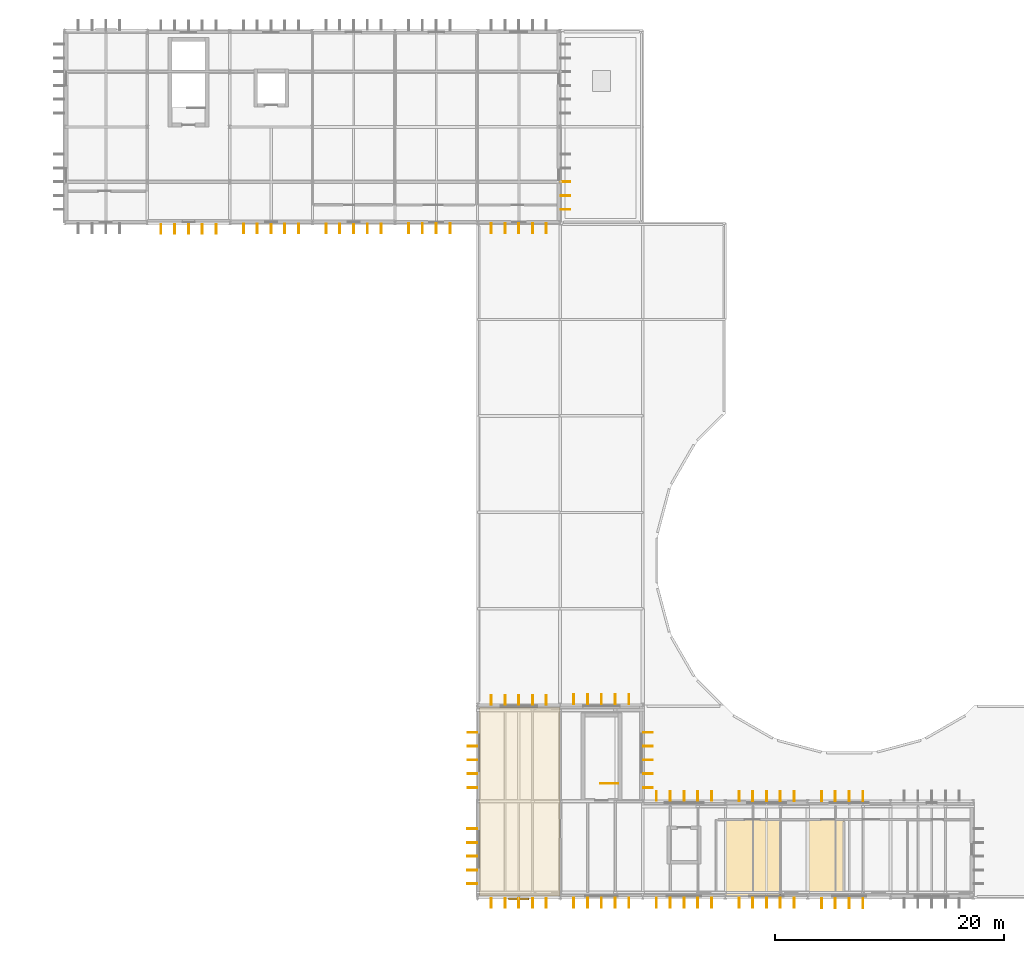
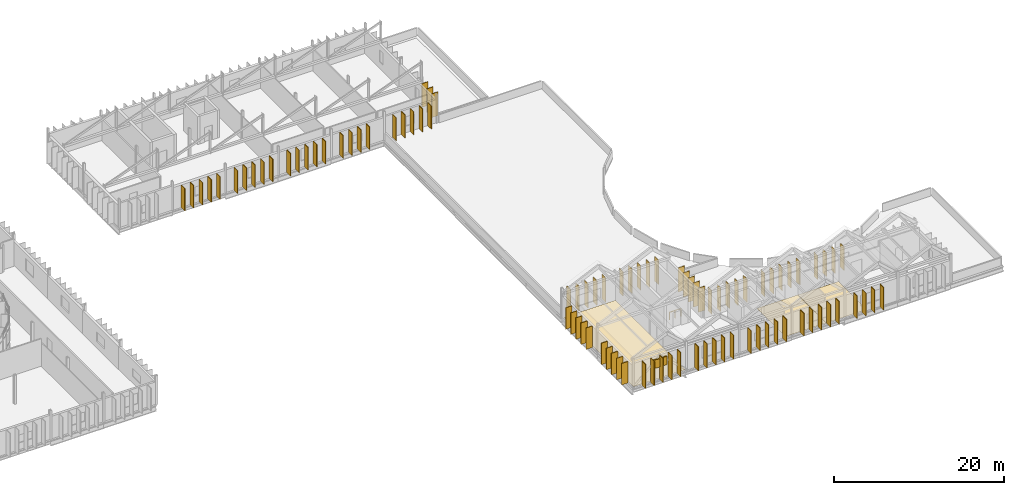
# One storey, part 49 of 52: 91 shading devices, 3 coverings, 1 railing.
"""IFC4 building model written with IfcOpenShell, lengths in metres."""

from ifc_helpers import new_model, si_unit, direction, frame, origin, origin_2d, place, context, subcontext, project, spatial, polyline, rectangle, circle, outline, extrude, material, layer, layer_set, type_object, element, save


model = new_model("IFC4")

# Units and contexts
model_context = context("Model", 3, precision=1e-05, world=origin(), true_north=direction((0.0, 1.0)))
body_context = subcontext(model_context, "Body", "Model", "MODEL_VIEW")
ifc_project = project(units=[si_unit("LENGTHUNIT", "METRE"), si_unit("AREAUNIT", "SQUARE_METRE"), si_unit("VOLUMEUNIT", "CUBIC_METRE"), si_unit("PLANEANGLEUNIT", "RADIAN"), si_unit("MASSUNIT", "GRAM", prefix="KILO")], contexts=[model_context])

# Site, building, storey
site_placement = place(None, origin())
site = spatial("IfcSite", under=ifc_project, at=site_placement, CompositionType="ELEMENT")
building_placement = place(site_placement, origin())
building = spatial("IfcBuilding", under=site, at=building_placement, Name="Qelthora Terrace Specialist Clinic", CompositionType="ELEMENT")
storey_placement = place(building_placement, frame((0.0, 0.0, 17.39990234375)))
storey = spatial("IfcBuildingStorey", under=building, at=storey_placement, Name="L04", CompositionType="ELEMENT", Elevation=17.39990234375)

# Coverings
ifc_material_1 = material(Name="Antimicrobial clinical linoleum flooring", Category="other")
ifc_layer = layer(ifc_material_1, 0.011962890625)
ifc_layer_set = layer_set([ifc_layer], Name="Antimicrobial clinical linoleum flooring")
covering_type = type_object("IfcCoveringType", Name="COV-FLR-LINO-12", PredefinedType="FLOORING", material=ifc_layer_set)
covering_1_placement = place(storey_placement, origin())
element("IfcCovering", 1, at=covering_1_placement, inside=storey, type_object=covering_type, Name="Gable Consulting Genomic Counseling L04-31 resilient linoleum flooring", PredefinedType="FLOORING", context=body_context, shape_type="SweptSolid", body=[
    extrude(outline(polyline([(114.39990234375, 33.72998046875), (114.39990234375, 40.39990234375), (119.96240234375, 40.39990234375), (119.96240234375, 33.72998046875), (114.39990234375, 33.72998046875)])), origin(), (0.0, 0.0, 1.0), 0.01220703125),
])
covering_2_placement = place(storey_placement, origin())
element("IfcCovering", 2, at=covering_2_placement, inside=storey, type_object=covering_type, Name="Gable Consulting Onco-Cardiology L04-32 resilient linoleum flooring", PredefinedType="FLOORING", context=body_context, shape_type="SweptSolid", body=[
    extrude(outline(polyline([(119.967529296875, 40.39990234375), (125.52490234375, 40.39990234375), (125.52490234375, 33.72998046875), (119.967529296875, 33.72998046875), (119.967529296875, 40.39990234375)])), origin(), (0.0, 0.0, 1.0), 0.01220703125),
])
covering_3_placement = place(storey_placement, origin())
element("IfcCovering", 3, at=covering_3_placement, inside=storey, type_object=covering_type, Name="Multidisciplinary Tumor Board Room L04-34 resilient linoleum flooring", PredefinedType="FLOORING", context=body_context, shape_type="SweptSolid", body=[
    extrude(outline(polyline([(93.75, 33.75), (93.75, 50.199951171875), (100.800048828125, 50.199951171875), (100.800048828125, 33.75), (93.75, 33.75)])), origin(), (0.0, 0.0, 1.0), 0.01220703125),
])

# Railing
ifc_material_2 = material(Name="Steel S355", Category="steel")
railing_type = type_object("IfcRailingType", Name="RAL-GD-1100-S355", PredefinedType="GUARDRAIL", material=ifc_material_2)
railing_placement = place(storey_placement, frame((105.85009765625, 43.550048828125, 0.0)))
element("IfcRailing", 4, at=railing_placement, inside=storey, type_object=railing_type, Name="L04 ST-05 top well guard 1", PredefinedType="GUARDRAIL", context=body_context, shape_type="SweptSolid", body=[
    extrude(circle(Radius=0.02392578125, at=origin_2d()), frame((0.0, 0.0, 1.076171875), z_axis=(-1.0, 0.0, 0.0), x_axis=(0.0, -1.0, 0.0)), (0.0, 0.0, 1.0), 1.550048828125),
    extrude(circle(Radius=0.02099609375, at=origin_2d()), origin(), (0.0, 0.0, 1.0), 1.052001953125),
    extrude(circle(Radius=0.02099609375, at=origin_2d()), frame((-0.77490234375, 0.0, 0.0)), (0.0, 0.0, 1.0), 1.052001953125),
    extrude(circle(Radius=0.02099609375, at=origin_2d()), frame((-1.550048828125, 0.0, 0.0)), (0.0, 0.0, 1.0), 1.052001953125),
])

# Shading devices
ifc_material_3 = material(Name="Glulam timber GL28h", Category="wood")
shading_device_type_1 = type_object("IfcShadingDeviceType", Name="SHD-FIN-850", PredefinedType="USERDEFINED", material=ifc_material_3)
for number, where, z_axis, x_axis, name in (
    (5, (94.800048828125, 33.135009765625, 0.000244140625), (0.0, 0.0, 1.0), (0.0, -1.0, 0.0), "Exterior solar shading fin FIN-1760"),
    (6, (96.0, 33.135009765625, 0.000244140625), (0.0, 0.0, 1.0), (0.0, -1.0, 0.0), "Exterior solar shading fin FIN-1761"),
    (7, (97.199951171875, 33.135009765625, 0.000244140625), (0.0, 0.0, 1.0), (0.0, -1.0, 0.0), "Exterior solar shading fin FIN-1762"),
    (8, (98.39990234375, 33.135009765625, 0.000244140625), (0.0, 0.0, 1.0), (0.0, -1.0, 0.0), "Exterior solar shading fin FIN-1763"),
    (9, (99.60009765625, 33.135009765625, 0.000244140625), (0.0, 0.0, 1.0), (0.0, -1.0, 0.0), "Exterior solar shading fin FIN-1764"),
    (10, (102.0, 33.14501953125, 0.000244140625), (0.0, 0.0, 1.0), (0.0, -1.0, 0.0), "Exterior solar shading fin FIN-1765"),
    (11, (103.199951171875, 33.14501953125, 0.000244140625), (0.0, 0.0, 1.0), (0.0, -1.0, 0.0), "Exterior solar shading fin FIN-1766"),
    (12, (104.39990234375, 33.14501953125, 0.000244140625), (0.0, 0.0, 1.0), (0.0, -1.0, 0.0), "Exterior solar shading fin FIN-1767"),
    (13, (105.60009765625, 33.14501953125, 0.000244140625), (0.0, 0.0, 1.0), (0.0, -1.0, 0.0), "Exterior solar shading fin FIN-1768"),
    (14, (106.800048828125, 33.14501953125, 0.000244140625), (0.0, 0.0, 1.0), (0.0, -1.0, 0.0), "Exterior solar shading fin FIN-1769"),
):
    element("IfcShadingDevice", number, at=place(storey_placement, frame(where, z_axis=z_axis, x_axis=x_axis)), inside=storey, type_object=shading_device_type_1, Name=name, ObjectType="FIN", PredefinedType="USERDEFINED", context=body_context, shape_type="SweptSolid", body=[
        extrude(rectangle(XDim=0.85009765625, YDim=0.080078125, at=origin_2d()), origin(), (0.0, 0.0, 1.0), 3.48193359375),
    ])
for number, where, z_axis, x_axis, name in (
    (15, (109.199951171875, 33.155029296875, 0.0), (0.0, 0.0, 1.0), (0.0, -1.0, 0.0), "Exterior solar shading fin FIN-1770"),
    (16, (110.39990234375, 33.155029296875, 0.0), (0.0, 0.0, 1.0), (0.0, -1.0, 0.0), "Exterior solar shading fin FIN-1771"),
    (17, (111.60009765625, 33.155029296875, 0.0), (0.0, 0.0, 1.0), (0.0, -1.0, 0.0), "Exterior solar shading fin FIN-1772"),
    (18, (112.800048828125, 33.155029296875, 0.0), (0.0, 0.0, 1.0), (0.0, -1.0, 0.0), "Exterior solar shading fin FIN-1773"),
    (19, (114.0, 33.155029296875, 0.0), (0.0, 0.0, 1.0), (0.0, -1.0, 0.0), "Exterior solar shading fin FIN-1774"),
    (20, (116.39990234375, 33.1650390625, 0.0), (0.0, 0.0, 1.0), (0.0, -1.0, 0.0), "Exterior solar shading fin FIN-1775"),
    (21, (117.60009765625, 33.1650390625, 0.0), (0.0, 0.0, 1.0), (0.0, -1.0, 0.0), "Exterior solar shading fin FIN-1776"),
    (22, (118.800048828125, 33.1650390625, 0.0), (0.0, 0.0, 1.0), (0.0, -1.0, 0.0), "Exterior solar shading fin FIN-1777"),
    (23, (120.0, 33.1650390625, 0.0), (0.0, 0.0, 1.0), (0.0, -1.0, 0.0), "Exterior solar shading fin FIN-1778"),
    (24, (121.199951171875, 33.1650390625, 0.0), (0.0, 0.0, 1.0), (0.0, -1.0, 0.0), "Exterior solar shading fin FIN-1779"),
    (25, (123.60009765625, 33.10498046875, 0.0), (0.0, 0.0, 1.0), (0.0, -1.0, 0.0), "Exterior solar shading fin FIN-1780"),
    (26, (124.800048828125, 33.10498046875, 0.0), (0.0, 0.0, 1.0), (0.0, -1.0, 0.0), "Exterior solar shading fin FIN-1781"),
    (27, (126.0, 33.10498046875, 0.0), (0.0, 0.0, 1.0), (0.0, -1.0, 0.0), "Exterior solar shading fin FIN-1782"),
    (28, (127.199951171875, 33.10498046875, 0.0), (0.0, 0.0, 1.0), (0.0, -1.0, 0.0), "Exterior solar shading fin FIN-1783"),
):
    element("IfcShadingDevice", number, at=place(storey_placement, frame(where, z_axis=z_axis, x_axis=x_axis)), inside=storey, type_object=shading_device_type_1, Name=name, ObjectType="FIN", PredefinedType="USERDEFINED", context=body_context, shape_type="SweptSolid", body=[
        extrude(rectangle(XDim=0.85009765625, YDim=0.080078125, at=origin_2d()), origin(), (0.0, 0.0, 1.0), 3.2490234375),
    ])
for number, where, z_axis, x_axis, name in (
    (29, (93.14501953125, 34.800048828125, 0.0), (0.0, 0.0, 1.0), (-1.0, 0.0, 0.0), "Exterior solar shading fin FIN-1789"),
    (30, (93.14501953125, 36.0, 0.0), (0.0, 0.0, 1.0), (-1.0, 0.0, 0.0), "Exterior solar shading fin FIN-1790"),
    (31, (93.14501953125, 37.199951171875, 0.0), (0.0, 0.0, 1.0), (-1.0, 0.0, 0.0), "Exterior solar shading fin FIN-1791"),
    (32, (93.14501953125, 38.39990234375, 0.0), (0.0, 0.0, 1.0), (-1.0, 0.0, 0.0), "Exterior solar shading fin FIN-1792"),
    (33, (93.14501953125, 39.60009765625, 0.0), (0.0, 0.0, 1.0), (-1.0, 0.0, 0.0), "Exterior solar shading fin FIN-1793"),
    (34, (93.155029296875, 43.199951171875, 0.0), (0.0, 0.0, 1.0), (-1.0, 0.0, 0.0), "Exterior solar shading fin FIN-1794"),
    (35, (93.155029296875, 44.39990234375, 0.0), (0.0, 0.0, 1.0), (-1.0, 0.0, 0.0), "Exterior solar shading fin FIN-1795"),
    (36, (93.155029296875, 45.60009765625, 0.0), (0.0, 0.0, 1.0), (-1.0, 0.0, 0.0), "Exterior solar shading fin FIN-1796"),
    (37, (93.155029296875, 46.800048828125, 0.0), (0.0, 0.0, 1.0), (-1.0, 0.0, 0.0), "Exterior solar shading fin FIN-1797"),
    (38, (93.155029296875, 48.0, 0.0), (0.0, 0.0, 1.0), (-1.0, 0.0, 0.0), "Exterior solar shading fin FIN-1798"),
):
    element("IfcShadingDevice", number, at=place(storey_placement, frame(where, z_axis=z_axis, x_axis=x_axis)), inside=storey, type_object=shading_device_type_1, Name=name, ObjectType="FIN", PredefinedType="USERDEFINED", context=body_context, shape_type="SweptSolid", body=[
        extrude(rectangle(XDim=0.85009765625, YDim=0.080078125, at=origin_2d()), origin(), (0.0, 0.0, 1.0), 3.091064453125),
    ])
for number, where, z_axis, x_axis, name in (
    (39, (94.800048828125, 50.8349609375, 0.0), (0.0, 0.0, 1.0), (0.0, 1.0, 0.0), "Exterior solar shading fin FIN-1799"),
    (40, (96.0, 50.8349609375, 0.0), (0.0, 0.0, 1.0), (0.0, 1.0, 0.0), "Exterior solar shading fin FIN-1800"),
    (41, (97.199951171875, 50.8349609375, 0.0), (0.0, 0.0, 1.0), (0.0, 1.0, 0.0), "Exterior solar shading fin FIN-1801"),
    (42, (98.39990234375, 50.8349609375, 0.0), (0.0, 0.0, 1.0), (0.0, 1.0, 0.0), "Exterior solar shading fin FIN-1802"),
    (43, (99.60009765625, 50.8349609375, 0.0), (0.0, 0.0, 1.0), (0.0, 1.0, 0.0), "Exterior solar shading fin FIN-1803"),
    (44, (102.0, 50.89501953125, 0.0), (0.0, 0.0, 1.0), (0.0, 1.0, 0.0), "Exterior solar shading fin FIN-1804"),
    (45, (103.199951171875, 50.89501953125, 0.0), (0.0, 0.0, 1.0), (0.0, 1.0, 0.0), "Exterior solar shading fin FIN-1805"),
    (46, (104.39990234375, 50.89501953125, 0.0), (0.0, 0.0, 1.0), (0.0, 1.0, 0.0), "Exterior solar shading fin FIN-1806"),
    (47, (105.60009765625, 50.89501953125, 0.0), (0.0, 0.0, 1.0), (0.0, 1.0, 0.0), "Exterior solar shading fin FIN-1807"),
    (48, (106.800048828125, 50.89501953125, 0.0), (0.0, 0.0, 1.0), (0.0, 1.0, 0.0), "Exterior solar shading fin FIN-1808"),
):
    element("IfcShadingDevice", number, at=place(storey_placement, frame(where, z_axis=z_axis, x_axis=x_axis)), inside=storey, type_object=shading_device_type_1, Name=name, ObjectType="FIN", PredefinedType="USERDEFINED", context=body_context, shape_type="SweptSolid", body=[
        extrude(rectangle(XDim=0.85009765625, YDim=0.080078125, at=origin_2d()), origin(), (0.0, 0.0, 1.0), 3.529052734375),
    ])
for number, where, z_axis, x_axis, name in (
    (49, (108.465087890625, 43.199951171875, 0.000244140625), (0.0, 0.0, 1.0), (1.0, 0.0, 0.0), "Exterior solar shading fin FIN-1809"),
    (50, (108.465087890625, 44.39990234375, 0.000244140625), (0.0, 0.0, 1.0), (1.0, 0.0, 0.0), "Exterior solar shading fin FIN-1810"),
    (51, (108.465087890625, 45.60009765625, 0.000244140625), (0.0, 0.0, 1.0), (1.0, 0.0, 0.0), "Exterior solar shading fin FIN-1811"),
    (52, (108.465087890625, 46.800048828125, 0.000244140625), (0.0, 0.0, 1.0), (1.0, 0.0, 0.0), "Exterior solar shading fin FIN-1812"),
    (53, (108.465087890625, 48.0, 0.000244140625), (0.0, 0.0, 1.0), (1.0, 0.0, 0.0), "Exterior solar shading fin FIN-1813"),
):
    element("IfcShadingDevice", number, at=place(storey_placement, frame(where, z_axis=z_axis, x_axis=x_axis)), inside=storey, type_object=shading_device_type_1, Name=name, ObjectType="FIN", PredefinedType="USERDEFINED", context=body_context, shape_type="SweptSolid", body=[
        extrude(rectangle(XDim=0.85009765625, YDim=0.080078125, at=origin_2d()), origin(), (0.0, 0.0, 1.0), 3.48193359375),
    ])
for number, where, z_axis, x_axis, name in (
    (54, (109.199951171875, 42.455078125, 0.000244140625), (0.0, 0.0, 1.0), (0.0, 1.0, 0.0), "Exterior solar shading fin FIN-1814"),
    (55, (110.39990234375, 42.455078125, 0.000244140625), (0.0, 0.0, 1.0), (0.0, 1.0, 0.0), "Exterior solar shading fin FIN-1815"),
    (56, (111.60009765625, 42.455078125, 0.000244140625), (0.0, 0.0, 1.0), (0.0, 1.0, 0.0), "Exterior solar shading fin FIN-1816"),
    (57, (112.800048828125, 42.455078125, 0.000244140625), (0.0, 0.0, 1.0), (0.0, 1.0, 0.0), "Exterior solar shading fin FIN-1817"),
    (58, (114.0, 42.455078125, 0.000244140625), (0.0, 0.0, 1.0), (0.0, 1.0, 0.0), "Exterior solar shading fin FIN-1818"),
    (59, (116.39990234375, 42.445068359375, 0.000244140625), (0.0, 0.0, 1.0), (0.0, 1.0, 0.0), "Exterior solar shading fin FIN-1819"),
    (60, (117.60009765625, 42.445068359375, 0.000244140625), (0.0, 0.0, 1.0), (0.0, 1.0, 0.0), "Exterior solar shading fin FIN-1820"),
    (61, (118.800048828125, 42.445068359375, 0.000244140625), (0.0, 0.0, 1.0), (0.0, 1.0, 0.0), "Exterior solar shading fin FIN-1821"),
    (62, (120.0, 42.445068359375, 0.000244140625), (0.0, 0.0, 1.0), (0.0, 1.0, 0.0), "Exterior solar shading fin FIN-1822"),
    (63, (121.199951171875, 42.445068359375, 0.000244140625), (0.0, 0.0, 1.0), (0.0, 1.0, 0.0), "Exterior solar shading fin FIN-1823"),
):
    element("IfcShadingDevice", number, at=place(storey_placement, frame(where, z_axis=z_axis, x_axis=x_axis)), inside=storey, type_object=shading_device_type_1, Name=name, ObjectType="FIN", PredefinedType="USERDEFINED", context=body_context, shape_type="SweptSolid", body=[
        extrude(rectangle(XDim=0.85009765625, YDim=0.080078125, at=origin_2d()), origin(), (0.0, 0.0, 1.0), 3.39794921875),
    ])
for number, where, z_axis, x_axis, name in (
    (64, (123.60009765625, 42.43505859375, 0.0), (0.0, 0.0, 1.0), (0.0, 1.0, 0.0), "Exterior solar shading fin FIN-1824"),
    (65, (124.800048828125, 42.43505859375, 0.0), (0.0, 0.0, 1.0), (0.0, 1.0, 0.0), "Exterior solar shading fin FIN-1825"),
    (66, (126.0, 42.43505859375, 0.0), (0.0, 0.0, 1.0), (0.0, 1.0, 0.0), "Exterior solar shading fin FIN-1826"),
    (67, (127.199951171875, 42.43505859375, 0.0), (0.0, 0.0, 1.0), (0.0, 1.0, 0.0), "Exterior solar shading fin FIN-1827"),
    (68, (101.2548828125, 93.60009765625, 0.0), (0.0, 0.0, 1.0), (1.0, 0.0, 0.0), "Exterior solar shading fin FIN-1838"),
    (69, (101.2548828125, 94.800048828125, 0.0), (0.0, 0.0, 1.0), (1.0, 0.0, 0.0), "Exterior solar shading fin FIN-1839"),
    (70, (101.2548828125, 96.0, 0.0), (0.0, 0.0, 1.0), (1.0, 0.0, 0.0), "Exterior solar shading fin FIN-1840"),
):
    element("IfcShadingDevice", number, at=place(storey_placement, frame(where, z_axis=z_axis, x_axis=x_axis)), inside=storey, type_object=shading_device_type_1, Name=name, ObjectType="FIN", PredefinedType="USERDEFINED", context=body_context, shape_type="SweptSolid", body=[
        extrude(rectangle(XDim=0.85009765625, YDim=0.080078125, at=origin_2d()), origin(), (0.0, 0.0, 1.0), 3.405029296875),
    ])
for number, where, z_axis, x_axis, name in (
    (71, (66.0, 91.905029296875, 0.0), (0.0, 0.0, 1.0), (0.0, -1.0, 0.0), "Exterior solar shading fin FIN-1853"),
    (72, (67.199951171875, 91.905029296875, 0.0), (0.0, 0.0, 1.0), (0.0, -1.0, 0.0), "Exterior solar shading fin FIN-1854"),
    (73, (68.39990234375, 91.905029296875, 0.0), (0.0, 0.0, 1.0), (0.0, -1.0, 0.0), "Exterior solar shading fin FIN-1855"),
    (74, (69.60009765625, 91.905029296875, 0.0), (0.0, 0.0, 1.0), (0.0, -1.0, 0.0), "Exterior solar shading fin FIN-1856"),
    (75, (70.800048828125, 91.905029296875, 0.0), (0.0, 0.0, 1.0), (0.0, -1.0, 0.0), "Exterior solar shading fin FIN-1857"),
    (76, (73.199951171875, 91.93505859375, 0.0), (0.0, 0.0, 1.0), (0.0, -1.0, 0.0), "Exterior solar shading fin FIN-1858"),
    (77, (74.39990234375, 91.93505859375, 0.0), (0.0, 0.0, 1.0), (0.0, -1.0, 0.0), "Exterior solar shading fin FIN-1859"),
    (78, (75.60009765625, 91.93505859375, 0.0), (0.0, 0.0, 1.0), (0.0, -1.0, 0.0), "Exterior solar shading fin FIN-1860"),
    (79, (76.800048828125, 91.93505859375, 0.0), (0.0, 0.0, 1.0), (0.0, -1.0, 0.0), "Exterior solar shading fin FIN-1861"),
    (80, (78.0, 91.93505859375, 0.0), (0.0, 0.0, 1.0), (0.0, -1.0, 0.0), "Exterior solar shading fin FIN-1862"),
    (81, (80.39990234375, 91.945068359375, 0.0), (0.0, 0.0, 1.0), (0.0, -1.0, 0.0), "Exterior solar shading fin FIN-1863"),
    (82, (81.60009765625, 91.945068359375, 0.0), (0.0, 0.0, 1.0), (0.0, -1.0, 0.0), "Exterior solar shading fin FIN-1864"),
    (83, (82.800048828125, 91.945068359375, 0.0), (0.0, 0.0, 1.0), (0.0, -1.0, 0.0), "Exterior solar shading fin FIN-1865"),
    (84, (84.0, 91.945068359375, 0.0), (0.0, 0.0, 1.0), (0.0, -1.0, 0.0), "Exterior solar shading fin FIN-1866"),
    (85, (85.199951171875, 91.945068359375, 0.0), (0.0, 0.0, 1.0), (0.0, -1.0, 0.0), "Exterior solar shading fin FIN-1867"),
):
    element("IfcShadingDevice", number, at=place(storey_placement, frame(where, z_axis=z_axis, x_axis=x_axis)), inside=storey, type_object=shading_device_type_1, Name=name, ObjectType="FIN", PredefinedType="USERDEFINED", context=body_context, shape_type="SweptSolid", body=[
        extrude(rectangle(XDim=0.85009765625, YDim=0.080078125, at=origin_2d()), origin(), (0.0, 0.0, 1.0), 3.2490234375),
    ])
for number, where, z_axis, x_axis, name in (
    (86, (87.60009765625, 91.955078125, 0.000244140625), (0.0, 0.0, 1.0), (0.0, -1.0, 0.0), "Exterior solar shading fin FIN-1868"),
    (87, (88.800048828125, 91.955078125, 0.000244140625), (0.0, 0.0, 1.0), (0.0, -1.0, 0.0), "Exterior solar shading fin FIN-1869"),
    (88, (90.0, 91.955078125, 0.000244140625), (0.0, 0.0, 1.0), (0.0, -1.0, 0.0), "Exterior solar shading fin FIN-1870"),
    (89, (91.199951171875, 91.955078125, 0.000244140625), (0.0, 0.0, 1.0), (0.0, -1.0, 0.0), "Exterior solar shading fin FIN-1871"),
):
    element("IfcShadingDevice", number, at=place(storey_placement, frame(where, z_axis=z_axis, x_axis=x_axis)), inside=storey, type_object=shading_device_type_1, Name=name, ObjectType="FIN", PredefinedType="USERDEFINED", context=body_context, shape_type="SweptSolid", body=[
        extrude(rectangle(XDim=0.85009765625, YDim=0.080078125, at=origin_2d()), origin(), (0.0, 0.0, 1.0), 3.25390625),
    ])
for number, where, z_axis, x_axis, name in (
    (90, (94.800048828125, 91.965087890625, 0.0), (0.0, 0.0, 1.0), (0.0, -1.0, 0.0), "Exterior solar shading fin FIN-1872"),
    (91, (96.0, 91.965087890625, 0.0), (0.0, 0.0, 1.0), (0.0, -1.0, 0.0), "Exterior solar shading fin FIN-1873"),
    (92, (97.199951171875, 91.965087890625, 0.0), (0.0, 0.0, 1.0), (0.0, -1.0, 0.0), "Exterior solar shading fin FIN-1874"),
    (93, (98.39990234375, 91.965087890625, 0.0), (0.0, 0.0, 1.0), (0.0, -1.0, 0.0), "Exterior solar shading fin FIN-1875"),
    (94, (99.60009765625, 91.965087890625, 0.0), (0.0, 0.0, 1.0), (0.0, -1.0, 0.0), "Exterior solar shading fin FIN-1876"),
):
    element("IfcShadingDevice", number, at=place(storey_placement, frame(where, z_axis=z_axis, x_axis=x_axis)), inside=storey, type_object=shading_device_type_1, Name=name, ObjectType="FIN", PredefinedType="USERDEFINED", context=body_context, shape_type="SweptSolid", body=[
        extrude(rectangle(XDim=0.85009765625, YDim=0.080078125, at=origin_2d()), origin(), (0.0, 0.0, 1.0), 3.324951171875),
    ])
ifc_material_4 = material(Name="Aluminium anodized bronze", Category="aluminium")
shading_device_type_2 = type_object("IfcShadingDeviceType", Name="SHD-LOUVRE-1800", PredefinedType="USERDEFINED", material=ifc_material_4)
shading_device_placement = place(storey_placement, frame((97.199951171875, 33.469970703125, 1.89990234375), z_axis=(0.0, 0.0, 1.0), x_axis=(1.0, 0.0, 0.0)))
element("IfcShadingDevice", 95, at=shading_device_placement, inside=storey, type_object=shading_device_type_2, Name="High-altitude HVAC louvre LVR-008", ObjectType="LOUVRE", PredefinedType="USERDEFINED", context=body_context, shape_type="SweptSolid", body=[
    extrude(rectangle(XDim=1.800048828125, YDim=0.179931640625, at=origin_2d()), origin(), (0.0, 0.0, 1.0), 1.199951171875),
])

save(model, "model.ifc")
